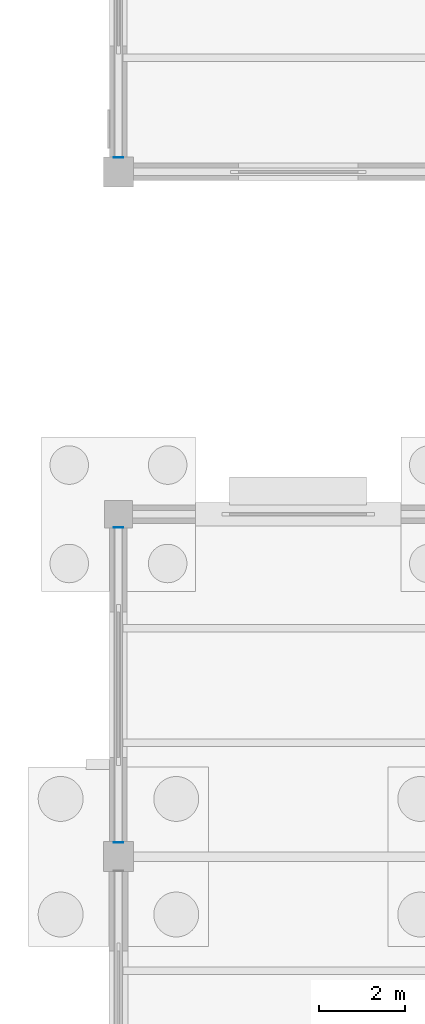
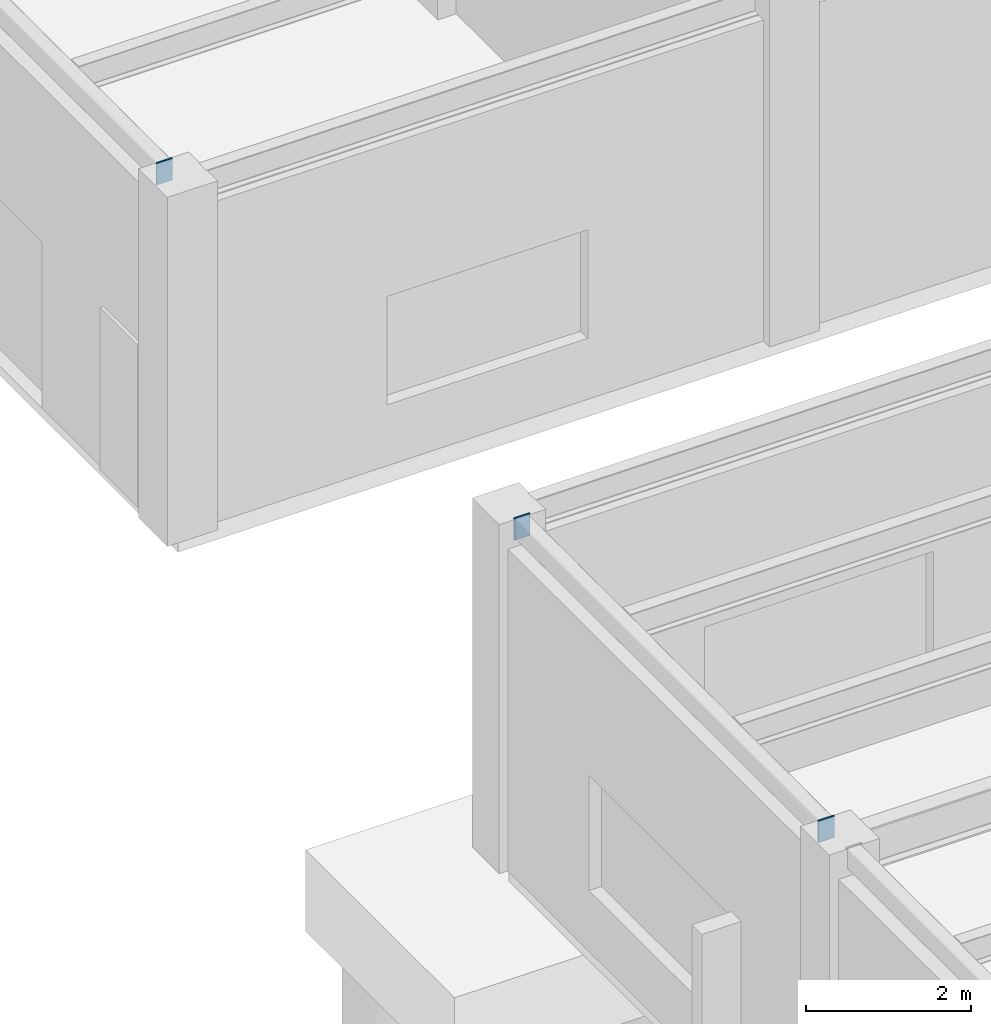
# One storey, part 94 of 138: 3 discrete accessories.
"""IFC4 building model written with IfcOpenShell, lengths in metres."""

from ifc_helpers import new_model, si_unit, direction, frame, origin, origin_2d, place, context, subcontext, project, spatial, rectangle, extrude, material, layer, layer_set, type_object, element, save


model = new_model("IFC4")

# Units and contexts
model_context = context("Model", 3, precision=1e-05, world=origin(), true_north=direction((0.0, 1.0)))
body_context = subcontext(model_context, "Body", "Model", "MODEL_VIEW")
ifc_project = project(units=[si_unit("LENGTHUNIT", "METRE"), si_unit("AREAUNIT", "SQUARE_METRE"), si_unit("VOLUMEUNIT", "CUBIC_METRE"), si_unit("PLANEANGLEUNIT", "RADIAN"), si_unit("MASSUNIT", "GRAM", prefix="KILO")], contexts=[model_context])

# Site, building, storey
site_placement = place(None, origin())
site = spatial("IfcSite", under=ifc_project, at=site_placement, CompositionType="ELEMENT")
building_placement = place(site_placement, origin())
building = spatial("IfcBuilding", under=site, at=building_placement, Name="Kranzveld Transit Interchange", CompositionType="ELEMENT")
storey_placement = place(building_placement, origin())
storey = spatial("IfcBuildingStorey", under=building, at=storey_placement, Name="L00", CompositionType="ELEMENT", Elevation=0.0)

# Discrete accessories
ifc_material = material(Name="Steel S355JR", Category="steel")
ifc_layer = layer(ifc_material, 0.02001953125)
ifc_layer_set = layer_set([ifc_layer], Name="Steel S355JR")
discrete_accessory_type = type_object("IfcDiscreteAccessoryType", Name="Hollow Section End Cap Bracket 20 S355JR", PredefinedType="BRACKET", material=ifc_layer_set)
for number, where, z_axis, x_axis, name in (
    (1, (0.0, 32.343994140625, 5.0), (0.0, -1.0, 0.0), (1.0, 0.0, 0.0), "Hollow Section End Cap SP-RHS300-1"),
    (2, (0.0, 39.680908203125, 5.0), (0.0, 1.0, 0.0), (-1.0, 0.0, 0.0), "Hollow Section End Cap SP-RHS300-2"),
    (3, (0.0, 48.343994140625, 5.0), (0.0, -1.0, 0.0), (1.0, 0.0, 0.0), "Hollow Section End Cap SP-RHS300-1"),
):
    element("IfcDiscreteAccessory", number, at=place(storey_placement, frame(where, z_axis=z_axis, x_axis=x_axis)), inside=storey, type_object=discrete_accessory_type, Name=name, PredefinedType="BRACKET", context=body_context, shape_type="SweptSolid", body=[
        extrude(rectangle(XDim=0.22412109375, YDim=0.323974609375, at=origin_2d()), origin(), (0.0, 0.0, 1.0), 0.02001953125),
    ])

save(model, "model.ifc")
